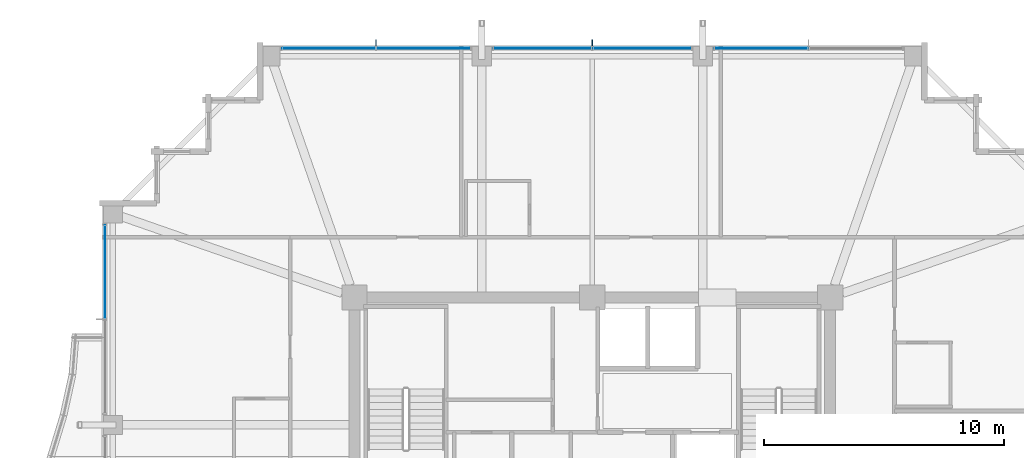
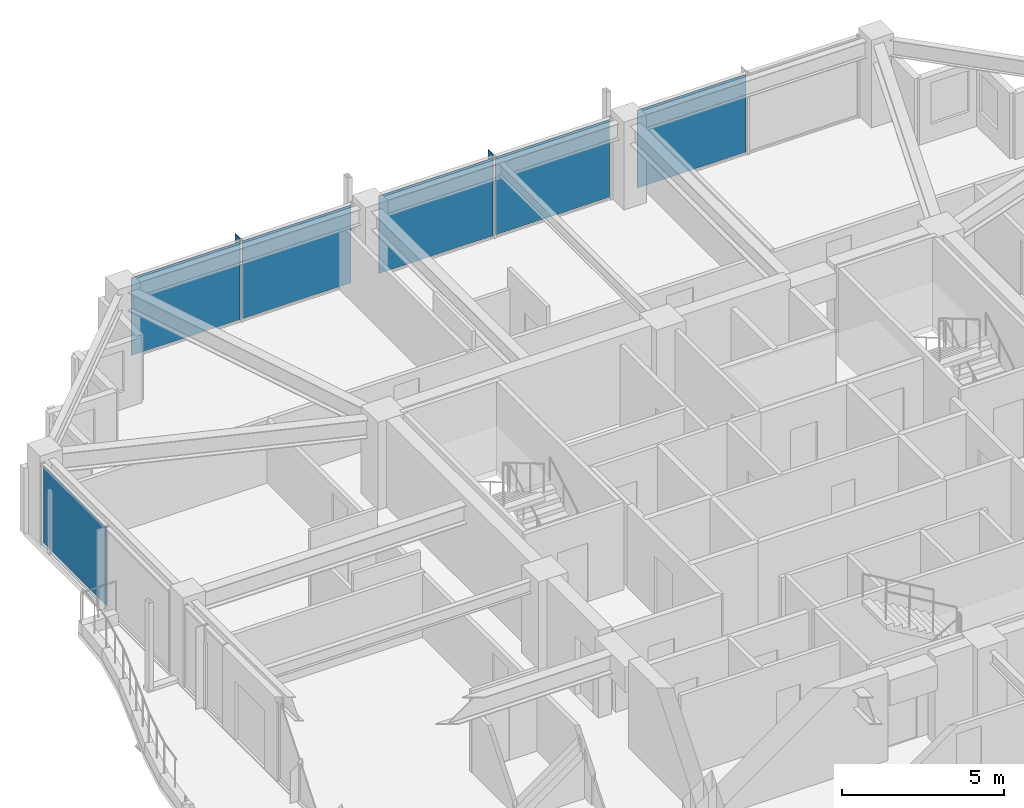
# One storey, part 25 of 33: 8 plates, 4 elements without a shape of their own.
"""IFC4 building model written with IfcOpenShell, lengths in metres."""

from ifc_helpers import new_model, si_unit, direction, frame, origin, origin_2d, place, context, subcontext, project, spatial, rectangle, extrude, material, layer, layer_set, type_object, element, aggregate, save


model = new_model("IFC4")

# Units and contexts
model_context = context("Model", 3, precision=1e-05, world=origin(), true_north=direction((0.0, 1.0)))
body_context = subcontext(model_context, "Body", "Model", "MODEL_VIEW")
ifc_project = project(units=[si_unit("LENGTHUNIT", "METRE"), si_unit("AREAUNIT", "SQUARE_METRE"), si_unit("VOLUMEUNIT", "CUBIC_METRE"), si_unit("PLANEANGLEUNIT", "RADIAN"), si_unit("MASSUNIT", "GRAM", prefix="KILO")], contexts=[model_context])

# Site, building, storey
site_placement = place(None, origin())
site = spatial("IfcSite", under=ifc_project, at=site_placement, CompositionType="ELEMENT")
building_placement = place(site_placement, origin())
building = spatial("IfcBuilding", under=site, at=building_placement, Name="Kolvaren Belvedere", CompositionType="ELEMENT")
storey_placement = place(building_placement, frame((0.0, 0.0, 209.699951171875)))
storey = spatial("IfcBuildingStorey", under=building, at=storey_placement, Name="L61", CompositionType="ELEMENT", Elevation=209.699951171875)

# Curtain wall, plates
ifc_material_1 = material(Name="Anodised pale-metal aluminium AA 6063-T6", Category="aluminium")
curtain_wall_type = type_object("IfcCurtainWallType", Name="CW-Z5-HIGH", PredefinedType="NOTDEFINED", material=ifc_material_1)
curtain_wall_1_placement = place(storey_placement, origin())
curtain_wall_1 = element("IfcCurtainWall", 1, at=curtain_wall_1_placement, inside=storey, type_object=curtain_wall_type, Name="L61 Unitised Curtain Wall FCW-L61-N-B1", PredefinedType="NOTDEFINED")
ifc_material_2 = material(Name="Low-iron triple insulated glass", Category="glass")
ifc_layer_1 = layer(ifc_material_2, 0.028076171875)
ifc_layer_set_1 = layer_set([ifc_layer_1], Name="Low-iron triple insulated glass")
plate_type_1 = type_object("IfcPlateType", Name="CW-PNL-VIS28", PredefinedType="CURTAIN_PANEL", material=ifc_layer_set_1)
plate_1_placement = place(storey_placement, frame((-10.972412109375, 20.280029296875, 0.080078125), z_axis=(0.0, 0.0, 1.0), x_axis=(1.0, 0.0, 0.0)))
plate_1 = element("IfcPlate", 2, at=plate_1_placement, type_object=plate_type_1, Name="FCW-L61-N-B1 Vision Glazing Panel 1", PredefinedType="CURTAIN_PANEL", context=body_context, shape_type="SweptSolid", body=[
    extrude(rectangle(XDim=3.864990234375, YDim=0.028076171875, at=origin_2d()), origin(), (0.0, 0.0, 1.0), 2.919921875),
])
plate_2_placement = place(storey_placement, frame((-7.027587890625, 20.280029296875, 0.080078125), z_axis=(0.0, 0.0, 1.0), x_axis=(1.0, 0.0, 0.0)))
plate_2 = element("IfcPlate", 3, at=plate_2_placement, type_object=plate_type_1, Name="FCW-L61-N-B1 Vision Glazing Panel 2", PredefinedType="CURTAIN_PANEL", context=body_context, shape_type="SweptSolid", body=[
    extrude(rectangle(XDim=3.864990234375, YDim=0.028076171875, at=origin_2d()), origin(), (0.0, 0.0, 1.0), 2.919921875),
])
aggregate(curtain_wall_1, [plate_1, plate_2])

curtain_wall_2_placement = place(storey_placement, origin())
curtain_wall_2 = element("IfcCurtainWall", 4, at=curtain_wall_2_placement, inside=storey, type_object=curtain_wall_type, Name="L61 Unitised Curtain Wall FCW-L61-N-B2", PredefinedType="NOTDEFINED")
plate_3_placement = place(storey_placement, frame((-2.072509765625, 20.280029296875, 0.080078125), z_axis=(0.0, 0.0, 1.0), x_axis=(1.0, 0.0, 0.0)))
plate_3 = element("IfcPlate", 5, at=plate_3_placement, type_object=plate_type_1, Name="FCW-L61-N-B2 Vision Glazing Panel 1", PredefinedType="CURTAIN_PANEL", context=body_context, shape_type="SweptSolid", body=[
    extrude(rectangle(XDim=4.06494140625, YDim=0.028076171875, at=origin_2d()), origin(), (0.0, 0.0, 1.0), 2.919921875),
])
plate_4_placement = place(storey_placement, frame((2.072509765625, 20.280029296875, 0.080078125), z_axis=(0.0, 0.0, 1.0), x_axis=(1.0, 0.0, 0.0)))
plate_4 = element("IfcPlate", 6, at=plate_4_placement, type_object=plate_type_1, Name="FCW-L61-N-B2 Vision Glazing Panel 2", PredefinedType="CURTAIN_PANEL", context=body_context, shape_type="SweptSolid", body=[
    extrude(rectangle(XDim=4.06494140625, YDim=0.028076171875, at=origin_2d()), origin(), (0.0, 0.0, 1.0), 2.919921875),
])
aggregate(curtain_wall_2, [plate_3, plate_4])

# Curtain wall, plate
curtain_wall_3_placement = place(storey_placement, origin())
curtain_wall_3 = element("IfcCurtainWall", 7, at=curtain_wall_3_placement, inside=storey, type_object=curtain_wall_type, Name="L61 Unitised Curtain Wall FCW-L61-N-B3", PredefinedType="NOTDEFINED")
plate_5_placement = place(storey_placement, frame((7.027587890625, 20.280029296875, 0.080078125), z_axis=(0.0, 0.0, 1.0), x_axis=(1.0, 0.0, 0.0)))
plate_5 = element("IfcPlate", 8, at=plate_5_placement, type_object=plate_type_1, Name="FCW-L61-N-B3 Vision Glazing Panel 1", PredefinedType="CURTAIN_PANEL", context=body_context, shape_type="SweptSolid", body=[
    extrude(rectangle(XDim=3.864990234375, YDim=0.028076171875, at=origin_2d()), origin(), (0.0, 0.0, 1.0), 2.919921875),
])
aggregate(curtain_wall_3, [plate_5])

curtain_wall_4_placement = place(storey_placement, origin())
curtain_wall_4 = element("IfcCurtainWall", 9, at=curtain_wall_4_placement, inside=storey, type_object=curtain_wall_type, Name="L61 Unitised Curtain Wall FCW-L61-W2-B2", PredefinedType="NOTDEFINED")
plate_6_placement = place(storey_placement, frame((-20.280029296875, 10.972412109375, 0.080078125), z_axis=(0.0, 0.0, 1.0), x_axis=(0.0, 1.0, 0.0)))
plate_6 = element("IfcPlate", 10, at=plate_6_placement, type_object=plate_type_1, Name="FCW-L61-W2-B2 Vision Glazing Panel 2", PredefinedType="CURTAIN_PANEL", context=body_context, shape_type="SweptSolid", body=[
    extrude(rectangle(XDim=3.864990234375, YDim=0.028076171875, at=origin_2d()), origin(), (0.0, 0.0, 1.0), 2.919921875),
])
aggregate(curtain_wall_4, [plate_6])

# Plates
ifc_material_3 = material(Name="Anodised pale-metal aluminium AA 6063-T6", Category="aluminium")
ifc_layer_2 = layer(ifc_material_3, 0.030029296875)
ifc_layer_set_2 = layer_set([ifc_layer_2], Name="Anodised pale-metal aluminium AA 6063-T6")
plate_type_2 = type_object("IfcPlateType", Name="FIN-VERT-300", PredefinedType="USERDEFINED", material=ifc_layer_set_2)
for number, where, z_axis, x_axis, name in (
    (11, (-9.0, 20.489990234375, 0.0), (0.0, 0.0, 1.0), (0.0, 1.0, 0.0), "L61 Pale-Metal Vertical Shading Fin FCW-L61-N-B1-1"),
    (12, (0.0, 20.489990234375, 0.0), (0.0, 0.0, 1.0), (0.0, 1.0, 0.0), "L61 Pale-Metal Vertical Shading Fin FCW-L61-N-B2-1"),
):
    element("IfcPlate", number, at=place(storey_placement, frame(where, z_axis=z_axis, x_axis=x_axis)), inside=storey, type_object=plate_type_2, Name=name, ObjectType="VERTICAL FIN", PredefinedType="USERDEFINED", context=body_context, shape_type="SweptSolid", body=[
        extrude(rectangle(XDim=0.300048828125, YDim=0.030029296875, at=origin_2d()), origin(), (0.0, 0.0, 1.0), 3.080078125),
    ])

save(model, "model.ifc")
